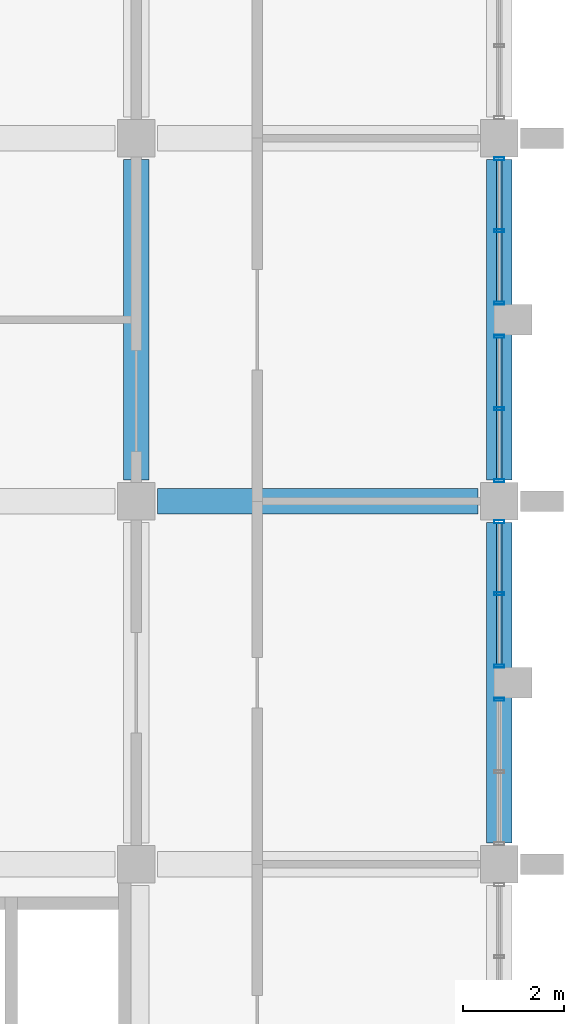
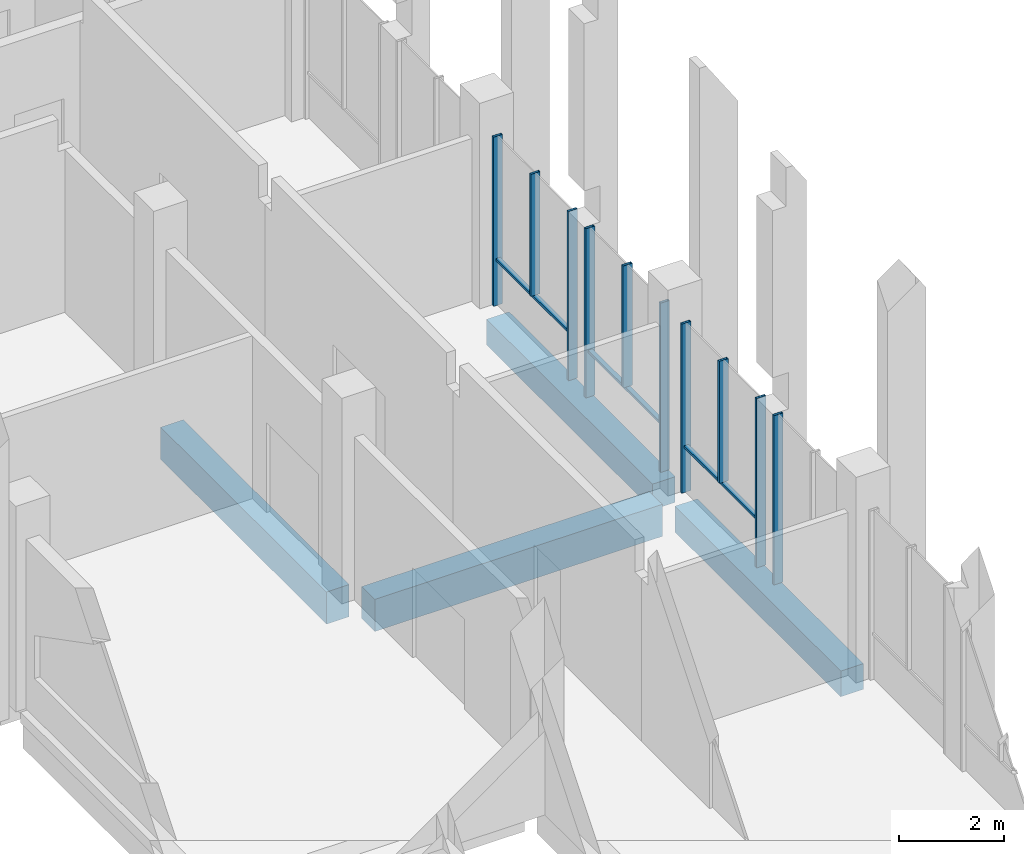
# One storey, part 20 of 40: 13 members, 4 beams, 4 elements without a shape of their own.
"""IFC4 building model written with IfcOpenShell, lengths in metres."""

from ifc_helpers import new_model, si_unit, direction, frame, origin, origin_2d, place, context, subcontext, project, spatial, rectangle, hollow_rectangle, extrude, material, material_profile, profile_set, type_object, element, aggregate, save


model = new_model("IFC4")

# Units and contexts
model_context = context("Model", 3, precision=1e-05, world=origin(), true_north=direction((0.0, 1.0)))
body_context = subcontext(model_context, "Body", "Model", "MODEL_VIEW")
ifc_project = project(units=[si_unit("LENGTHUNIT", "METRE"), si_unit("AREAUNIT", "SQUARE_METRE"), si_unit("VOLUMEUNIT", "CUBIC_METRE"), si_unit("PLANEANGLEUNIT", "RADIAN"), si_unit("MASSUNIT", "GRAM", prefix="KILO")], contexts=[model_context])

# Site, building, storey
site_placement = place(None, origin())
site = spatial("IfcSite", under=ifc_project, at=site_placement, CompositionType="ELEMENT")
building_placement = place(site_placement, origin())
building = spatial("IfcBuilding", under=site, at=building_placement, Name="Silangan Lancet Faculty of Sciences", CompositionType="ELEMENT")
storey_placement = place(building_placement, frame((0.0, 0.0, 21.60009765625)))
storey = spatial("IfcBuildingStorey", under=building, at=storey_placement, Name="L04", CompositionType="ELEMENT", Elevation=21.60009765625)

# Beams
ifc_material_1 = material(Name="Concrete C40/50", Category="concrete")
ifc_material_profile_1 = material_profile(ifc_material_1, rectangle(XDim=0.5, YDim=0.60009765625, at=origin_2d()), Name="RC 500x600")
ifc_profile_set_1 = profile_set([ifc_material_profile_1], Name="Concrete C40/50")
beam_type_1 = type_object("IfcBeamType", Name="BEAM RC 500x600", PredefinedType="BEAM", material=ifc_profile_set_1)
for number, where, z_axis, x_axis, name in (
    (1, (86.39990234375, 29.22509765625, -0.550048828125), (0.0, 1.0, 0.0), (-1.0, 0.0, 0.0), "BM-L04-13E-13F"),
    (2, (86.39990234375, 36.425048828125, -0.550048828125), (0.0, 1.0, 0.0), (-1.0, 0.0, 0.0), "BM-L04-13F-13G"),
):
    element("IfcBeam", number, at=place(storey_placement, frame(where, z_axis=z_axis, x_axis=x_axis)), inside=storey, type_object=beam_type_1, Name=name, PredefinedType="BEAM", context=body_context, shape_type="SweptSolid", body=[
        extrude(rectangle(XDim=0.5, YDim=0.60009765625, at=origin_2d()), origin(), (0.0, 0.0, 1.0), 6.349853515625),
    ])
ifc_material_2 = material(Name="Concrete C40/50", Category="concrete")
ifc_material_profile_2 = material_profile(ifc_material_2, rectangle(XDim=0.5, YDim=0.75, at=origin_2d()), Name="RC 500x750")
ifc_profile_set_2 = profile_set([ifc_material_profile_2], Name="Concrete C40/50")
beam_type_2 = type_object("IfcBeamType", Name="BEAM RC 500x750", PredefinedType="BEAM", material=ifc_profile_set_2)
beam_1_placement = place(storey_placement, frame((79.625, 36.0, -0.625), z_axis=(1.0, 0.0, 0.0), x_axis=(0.0, 1.0, 0.0)))
element("IfcBeam", 3, at=beam_1_placement, inside=storey, type_object=beam_type_2, Name="BM-L04-12F-13F", PredefinedType="BEAM", context=body_context, shape_type="SweptSolid", body=[
    extrude(rectangle(XDim=0.5, YDim=0.75, at=origin_2d()), origin(), (0.0, 0.0, 1.0), 6.35009765625),
])
beam_2_placement = place(storey_placement, frame((79.199951171875, 36.425048828125, -0.625), z_axis=(0.0, 1.0, 0.0), x_axis=(-1.0, 0.0, 0.0)))
element("IfcBeam", 4, at=beam_2_placement, inside=storey, type_object=beam_type_2, Name="BM-L04-12F-12G", PredefinedType="BEAM", context=body_context, shape_type="SweptSolid", body=[
    extrude(rectangle(XDim=0.5, YDim=0.75, at=origin_2d()), origin(), (0.0, 0.0, 1.0), 6.349853515625),
])

# Curtain wall, member
ifc_material_3 = material(Name="Aluminium framed curtain wall with insulated glass", Category="aluminium")
curtain_wall_type = type_object("IfcCurtainWallType", Name="CW1 Commons and east block glazing", PredefinedType="NOTDEFINED", material=ifc_material_3)
curtain_wall_1_placement = place(storey_placement, origin())
curtain_wall_1 = element("IfcCurtainWall", 5, at=curtain_wall_1_placement, inside=storey, type_object=curtain_wall_type, Name="CW1 East commons L04 bay 7", PredefinedType="NOTDEFINED")
ifc_material_4 = material(Name="Aluminium 6063-T6 extrusion", Category="aluminium")
ifc_material_profile_3 = material_profile(ifc_material_4, hollow_rectangle(XDim=0.06005859375, YDim=0.199951171875, WallThickness=0.00390625, at=origin_2d()), Name="AL BOX 60x200x4")
ifc_profile_set_3 = profile_set([ifc_material_profile_3], Name="Aluminium 6063-T6 extrusion")
member_type_1 = type_object("IfcMemberType", Name="CM1 Mullion 60x200", PredefinedType="MULLION", material=ifc_profile_set_3)
member_1_placement = place(storey_placement, frame((86.39990234375, 32.06982421875, 0.0), z_axis=(0.0, 0.0, 1.0), x_axis=(0.0, 1.0, 0.0)))
member_1 = element("IfcMember", 6, at=member_1_placement, type_object=member_type_1, Name="CW1 East commons L04 bay 7 mullion 2", PredefinedType="MULLION", context=body_context, shape_type="SweptSolid", body=[
    extrude(hollow_rectangle(XDim=0.06005859375, YDim=0.199951171875, WallThickness=0.00390625, at=origin_2d()), origin(), (0.0, 0.0, 1.0), 3.949951171875),
])
aggregate(curtain_wall_1, [member_1])

# Curtain wall, members
curtain_wall_2_placement = place(storey_placement, origin())
curtain_wall_2 = element("IfcCurtainWall", 7, at=curtain_wall_2_placement, inside=storey, type_object=curtain_wall_type, Name="CW1 East commons L04 bay 8", PredefinedType="NOTDEFINED")
member_2_placement = place(storey_placement, frame((86.39990234375, 32.72998046875, 0.0), z_axis=(0.0, 0.0, 1.0), x_axis=(0.0, 1.0, 0.0)))
member_2 = element("IfcMember", 8, at=member_2_placement, type_object=member_type_1, Name="CW1 East commons L04 bay 8 mullion 1", PredefinedType="MULLION", context=body_context, shape_type="SweptSolid", body=[
    extrude(hollow_rectangle(XDim=0.06005859375, YDim=0.199951171875, WallThickness=0.00390625, at=origin_2d()), origin(), (0.0, 0.0, 1.0), 3.949951171875),
])
member_3_placement = place(storey_placement, frame((86.39990234375, 35.594970703125, 0.0), z_axis=(0.0, 0.0, 1.0), x_axis=(0.0, 1.0, 0.0)))
member_3 = element("IfcMember", 9, at=member_3_placement, type_object=member_type_1, Name="CW1 East commons L04 bay 8 mullion 2", PredefinedType="MULLION", context=body_context, shape_type="SweptSolid", body=[
    extrude(hollow_rectangle(XDim=0.06005859375, YDim=0.199951171875, WallThickness=0.00390625, at=origin_2d()), origin(), (0.0, 0.0, 1.0), 3.949951171875),
])
member_4_placement = place(storey_placement, frame((86.39990234375, 34.162353515625, 1.099853515625), z_axis=(0.0, 0.0, 1.0), x_axis=(0.0, 1.0, 0.0)))
member_4 = element("IfcMember", 10, at=member_4_placement, type_object=member_type_1, Name="CW1 East commons L04 bay 8 mullion 3", PredefinedType="MULLION", context=body_context, shape_type="SweptSolid", body=[
    extrude(hollow_rectangle(XDim=0.06005859375, YDim=0.199951171875, WallThickness=0.00390625, at=origin_2d()), origin(), (0.0, 0.0, 1.0), 2.85009765625),
])

curtain_wall_3_placement = place(storey_placement, origin())
curtain_wall_3 = element("IfcCurtainWall", 11, at=curtain_wall_3_placement, inside=storey, type_object=curtain_wall_type, Name="CW1 East commons L04 bay 9", PredefinedType="NOTDEFINED")
member_5_placement = place(storey_placement, frame((86.39990234375, 36.405029296875, 0.0), z_axis=(0.0, 0.0, 1.0), x_axis=(0.0, 1.0, 0.0)))
member_5 = element("IfcMember", 12, at=member_5_placement, type_object=member_type_1, Name="CW1 East commons L04 bay 9 mullion 1", PredefinedType="MULLION", context=body_context, shape_type="SweptSolid", body=[
    extrude(hollow_rectangle(XDim=0.06005859375, YDim=0.199951171875, WallThickness=0.00390625, at=origin_2d()), origin(), (0.0, 0.0, 1.0), 3.949951171875),
])
member_6_placement = place(storey_placement, frame((86.39990234375, 39.27001953125, 0.0), z_axis=(0.0, 0.0, 1.0), x_axis=(0.0, 1.0, 0.0)))
member_6 = element("IfcMember", 13, at=member_6_placement, type_object=member_type_1, Name="CW1 East commons L04 bay 9 mullion 2", PredefinedType="MULLION", context=body_context, shape_type="SweptSolid", body=[
    extrude(hollow_rectangle(XDim=0.06005859375, YDim=0.199951171875, WallThickness=0.00390625, at=origin_2d()), origin(), (0.0, 0.0, 1.0), 3.949951171875),
])
member_7_placement = place(storey_placement, frame((86.39990234375, 37.837646484375, 1.099853515625), z_axis=(0.0, 0.0, 1.0), x_axis=(0.0, 1.0, 0.0)))
member_7 = element("IfcMember", 14, at=member_7_placement, type_object=member_type_1, Name="CW1 East commons L04 bay 9 mullion 3", PredefinedType="MULLION", context=body_context, shape_type="SweptSolid", body=[
    extrude(hollow_rectangle(XDim=0.06005859375, YDim=0.199951171875, WallThickness=0.00390625, at=origin_2d()), origin(), (0.0, 0.0, 1.0), 2.85009765625),
])

curtain_wall_4_placement = place(storey_placement, origin())
curtain_wall_4 = element("IfcCurtainWall", 15, at=curtain_wall_4_placement, inside=storey, type_object=curtain_wall_type, Name="CW1 East commons L04 bay 10", PredefinedType="NOTDEFINED")
member_8_placement = place(storey_placement, frame((86.39990234375, 39.93017578125, 0.0), z_axis=(0.0, 0.0, 1.0), x_axis=(0.0, 1.0, 0.0)))
member_8 = element("IfcMember", 16, at=member_8_placement, type_object=member_type_1, Name="CW1 East commons L04 bay 10 mullion 1", PredefinedType="MULLION", context=body_context, shape_type="SweptSolid", body=[
    extrude(hollow_rectangle(XDim=0.06005859375, YDim=0.199951171875, WallThickness=0.00390625, at=origin_2d()), origin(), (0.0, 0.0, 1.0), 3.949951171875),
])
member_9_placement = place(storey_placement, frame((86.39990234375, 42.794921875, 0.0), z_axis=(0.0, 0.0, 1.0), x_axis=(0.0, 1.0, 0.0)))
member_9 = element("IfcMember", 17, at=member_9_placement, type_object=member_type_1, Name="CW1 East commons L04 bay 10 mullion 2", PredefinedType="MULLION", context=body_context, shape_type="SweptSolid", body=[
    extrude(hollow_rectangle(XDim=0.06005859375, YDim=0.199951171875, WallThickness=0.00390625, at=origin_2d()), origin(), (0.0, 0.0, 1.0), 3.949951171875),
])
member_10_placement = place(storey_placement, frame((86.39990234375, 41.362548828125, 1.099853515625), z_axis=(0.0, 0.0, 1.0), x_axis=(0.0, 1.0, 0.0)))
member_10 = element("IfcMember", 18, at=member_10_placement, type_object=member_type_1, Name="CW1 East commons L04 bay 10 mullion 3", PredefinedType="MULLION", context=body_context, shape_type="SweptSolid", body=[
    extrude(hollow_rectangle(XDim=0.06005859375, YDim=0.199951171875, WallThickness=0.00390625, at=origin_2d()), origin(), (0.0, 0.0, 1.0), 2.85009765625),
])

# Member
ifc_material_5 = material(Name="Aluminium 6063-T6 extrusion", Category="aluminium")
ifc_material_profile_4 = material_profile(ifc_material_5, hollow_rectangle(XDim=0.10009765625, YDim=0.06005859375, WallThickness=0.0029296875, at=origin_2d()), Name="AL BOX 100x60x3")
ifc_profile_set_4 = profile_set([ifc_material_profile_4], Name="Aluminium 6063-T6 extrusion")
member_type_2 = type_object("IfcMemberType", Name="CT1 Transom 100x60", PredefinedType="USERDEFINED", material=ifc_profile_set_4)
member_11_placement = place(storey_placement, frame((86.39990234375, 32.760009765625, 1.06982421875), z_axis=(0.0, 1.0, 0.0), x_axis=(-1.0, 0.0, 0.0)))
member_11 = element("IfcMember", 19, at=member_11_placement, type_object=member_type_2, Name="CW1 East commons L04 bay 8 transom 1", ObjectType="TRANSOM", PredefinedType="USERDEFINED", context=body_context, shape_type="SweptSolid", body=[
    extrude(hollow_rectangle(XDim=0.10009765625, YDim=0.06005859375, WallThickness=0.0029296875, at=origin_2d()), origin(), (0.0, 0.0, 1.0), 2.804931640625),
])

aggregate(curtain_wall_2, [member_2, member_3, member_4, member_11])

member_12_placement = place(storey_placement, frame((86.39990234375, 36.43505859375, 1.06982421875), z_axis=(0.0, 1.0, 0.0), x_axis=(-1.0, 0.0, 0.0)))
member_12 = element("IfcMember", 20, at=member_12_placement, type_object=member_type_2, Name="CW1 East commons L04 bay 9 transom 1", ObjectType="TRANSOM", PredefinedType="USERDEFINED", context=body_context, shape_type="SweptSolid", body=[
    extrude(hollow_rectangle(XDim=0.10009765625, YDim=0.06005859375, WallThickness=0.0029296875, at=origin_2d()), origin(), (0.0, 0.0, 1.0), 2.804931640625),
])

aggregate(curtain_wall_3, [member_5, member_6, member_7, member_12])

member_13_placement = place(storey_placement, frame((86.39990234375, 39.960205078125, 1.06982421875), z_axis=(0.0, 1.0, 0.0), x_axis=(-1.0, 0.0, 0.0)))
member_13 = element("IfcMember", 21, at=member_13_placement, type_object=member_type_2, Name="CW1 East commons L04 bay 10 transom 1", ObjectType="TRANSOM", PredefinedType="USERDEFINED", context=body_context, shape_type="SweptSolid", body=[
    extrude(hollow_rectangle(XDim=0.10009765625, YDim=0.06005859375, WallThickness=0.0029296875, at=origin_2d()), origin(), (0.0, 0.0, 1.0), 2.8046875),
])

aggregate(curtain_wall_4, [member_8, member_9, member_10, member_13])

save(model, "model.ifc")
